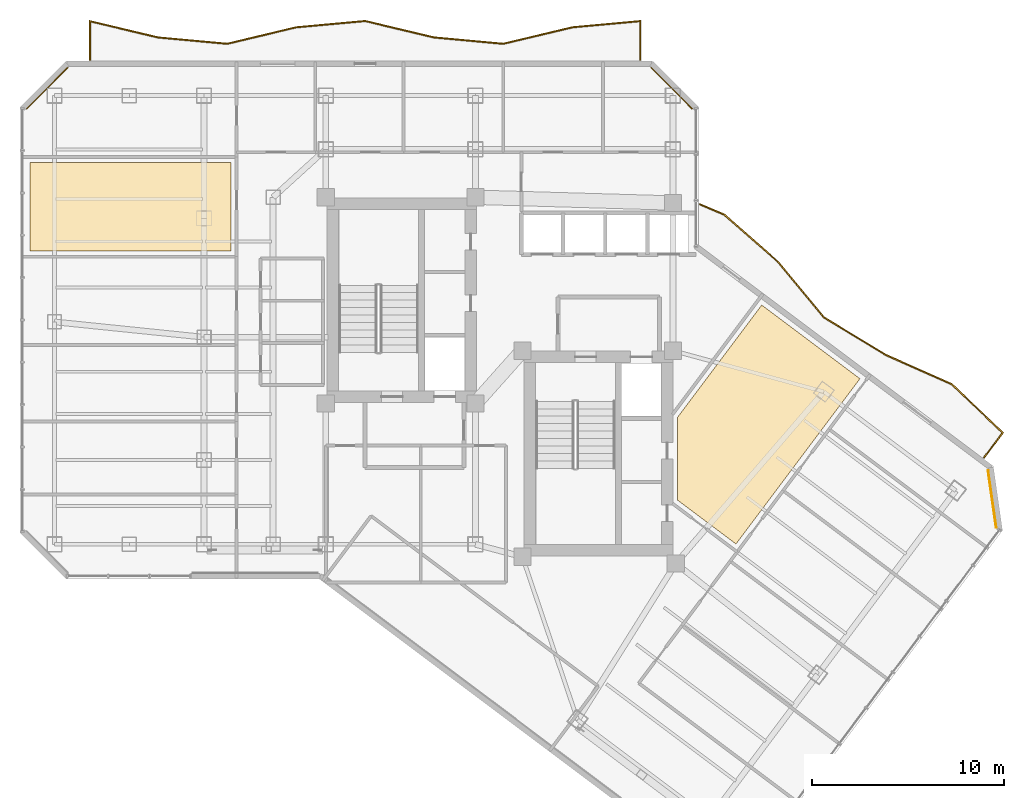
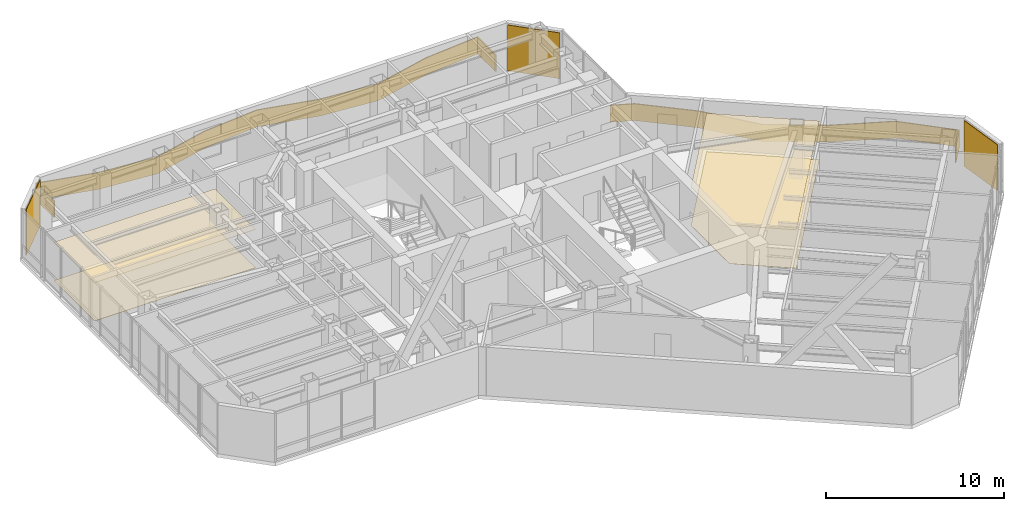
# One storey, part 27 of 27: 7 coverings, 2 railings.
"""IFC4 building model written with IfcOpenShell, lengths in metres."""

import ifcopenshell
import ifcopenshell.guid

model = None  # the IFC model being written
_history = None  # IfcOwnerHistory: only IFC2X3 demands one
_inside = {}  # id of a spatial element -> (the spatial element, [elements in it])
_under = {}  # id of a project, library or spatial element -> (it, [spatial elements below it])
_declared = {}  # id of a project -> (the project, [libraries it declares])
_typed = {}  # id of a type object -> (the type object, [elements of that type])
_made_of = {}  # id of a material, layer set ... -> (it, [elements and type objects made of it])


def new_model(schema):
    """Start an empty IFC model of exactly this schema.

    Asked for "IFC4X3", IfcOpenShell would pick the latest addendum, in which some entities
    have other attributes; the version numbers below select the first issue.
    IFC2X3 requires an IfcOwnerHistory on every rooted entity: one is made here for all.
    """
    global model, _history
    if schema == "IFC4X3":
        model = ifcopenshell.file(schema_version=(4, 3, 0, 0))
    else:
        model = ifcopenshell.file(schema=schema)
    _inside.clear()
    _under.clear()
    _declared.clear()
    _typed.clear()
    _made_of.clear()
    _history = None
    if model.schema == "IFC2X3":
        org = make("IfcOrganization", Name="unknown")
        user = make(
            "IfcPersonAndOrganization",
            ThePerson=make("IfcPerson", FamilyName="unknown"),
            TheOrganization=org,
        )
        app = make(
            "IfcApplication",
            ApplicationDeveloper=org,
            Version="unknown",
            ApplicationFullName="unknown",
            ApplicationIdentifier="unknown",
        )
        _history = make(
            "IfcOwnerHistory",
            OwningUser=user,
            OwningApplication=app,
            ChangeAction="ADDED",
            CreationDate=0,
        )
    return model


def make(cls, **values):
    """One entity of the class cls with the attributes given. An attribute that is None is left unset."""
    return model.create_entity(
        cls, **{name: value for name, value in values.items() if value is not None}
    )


def rooted(cls, **values):
    """An entity with a GlobalId (a new one), such as an element, a storey or a relation."""
    return make(cls, GlobalId=ifcopenshell.guid.new(), OwnerHistory=_history, **values)


def si_unit(unit_type, name, prefix=None):
    """IfcSIUnit, for example si_unit("LENGTHUNIT", "METRE", prefix="MILLI")."""
    return make("IfcSIUnit", UnitType=unit_type, Prefix=prefix, Name=name)


def assignment(units):
    """IfcUnitAssignment: the units of a project."""
    return None if units is None else make("IfcUnitAssignment", Units=units)


def point(xyz):
    """IfcCartesianPoint."""
    return None if xyz is None else make("IfcCartesianPoint", Coordinates=xyz)


def direction(xyz):
    """IfcDirection."""
    return None if xyz is None else make("IfcDirection", DirectionRatios=xyz)


def frame(location, z_axis=None, x_axis=None):
    """IfcAxis2Placement3D, a coordinate frame: its origin and axes. An axis left out is left unset."""
    return make(
        "IfcAxis2Placement3D",
        Location=point(location),
        Axis=direction(z_axis),
        RefDirection=direction(x_axis),
    )


def frame_2d(location, x_axis=None):
    """IfcAxis2Placement2D, a coordinate frame in the plane: its origin and x axis."""
    return make(
        "IfcAxis2Placement2D", Location=point(location), RefDirection=direction(x_axis)
    )


def origin():
    """The frame at (0, 0, 0) with its axes left unset."""
    return frame((0.0, 0.0, 0.0))


def origin_2d():
    """The frame at (0, 0) in the plane with its x axis left unset."""
    return frame_2d((0.0, 0.0))


def place(relative_to, where):
    """IfcLocalPlacement: puts the frame where relative to a parent placement (None: the world)."""
    return make(
        "IfcLocalPlacement", PlacementRelTo=relative_to, RelativePlacement=where
    )


def context(
    kind, dimensions, precision=None, world=None, true_north=None, identifier=None
):
    """IfcGeometricRepresentationContext, for example the 3D "Model" context."""
    return make(
        "IfcGeometricRepresentationContext",
        ContextIdentifier=identifier,
        ContextType=kind,
        CoordinateSpaceDimension=dimensions,
        Precision=precision,
        WorldCoordinateSystem=world,
        TrueNorth=true_north,
    )


def subcontext(parent, identifier, kind, view, scale=None):
    """IfcGeometricRepresentationSubContext, for example "Body" below "Model"."""
    return make(
        "IfcGeometricRepresentationSubContext",
        ContextIdentifier=identifier,
        ContextType=kind,
        ParentContext=parent,
        TargetScale=scale,
        TargetView=view,
    )


def project(units=None, contexts=None):
    """IfcProject with its units and contexts."""
    return rooted(
        "IfcProject",
        Name="project",
        RepresentationContexts=contexts,
        UnitsInContext=assignment(units),
    )


def spatial(cls, under=None, at=None, **own):
    """A site, building, storey or space (cls), placed at a placement, below another one or the project."""
    s = rooted(cls, ObjectPlacement=at, **own)
    if under is not None:
        _under.setdefault(under.id(), (under, []))[1].append(s)
    return s


def polyline(points):
    """IfcPolyline through the points."""
    return make("IfcPolyline", Points=[point(p) for p in points])


def profile(cls, at=None, kind="AREA", **sizes):
    """A parametric profile (cls). Its sizes go by their IFC names, for example OverallWidth=200.0."""
    return make(cls, ProfileType=kind, Position=at, **sizes)


def rectangle(**sizes):
    """IfcRectangleProfileDef."""
    return profile("IfcRectangleProfileDef", **sizes)


def outline(outer, holes=None, kind="AREA"):
    """IfcArbitraryClosedProfileDef: a profile drawn as a closed curve; with holes, ...WithVoids."""
    if holes is None:
        return make("IfcArbitraryClosedProfileDef", ProfileType=kind, OuterCurve=outer)
    return make(
        "IfcArbitraryProfileDefWithVoids",
        ProfileType=kind,
        OuterCurve=outer,
        InnerCurves=holes,
    )


def extrude(swept, where, along, depth):
    """IfcExtrudedAreaSolid: the profile swept, set in the frame where, extruded along a direction by depth."""
    return make(
        "IfcExtrudedAreaSolid",
        SweptArea=swept,
        Position=where,
        ExtrudedDirection=direction(along),
        Depth=depth,
    )


def shape(context_of_items, identifier, shape_type, items):
    """IfcShapeRepresentation: the items that make up one representation, for example the "Body"."""
    return make(
        "IfcShapeRepresentation",
        ContextOfItems=context_of_items,
        RepresentationIdentifier=identifier,
        RepresentationType=shape_type,
        Items=items,
    )


def material(Name=None, Category=None):
    """IfcMaterial."""
    return make("IfcMaterial", Name=Name, Category=Category)


def layer(
    of_material, thickness, ventilated=None, Name=None, Category=None, Priority=None
):
    """IfcMaterialLayer: one layer of a wall or slab, of a material (None: an air gap)."""
    return make(
        "IfcMaterialLayer",
        Material=of_material,
        LayerThickness=thickness,
        IsVentilated=ventilated,
        Name=Name,
        Category=Category,
        Priority=Priority,
    )


def layer_set(layers, Name=None):
    """IfcMaterialLayerSet."""
    return make("IfcMaterialLayerSet", MaterialLayers=layers, LayerSetName=Name)


def made_of(thing, what):
    """Note that an element or type object is made of a material, layer set ...; save() writes the relation."""
    if what is not None:
        _made_of.setdefault(what.id(), (what, []))[1].append(thing)
    return thing


def type_object(cls, material=None, **own):
    """A type object (cls), such as IfcWallType, which elements share."""
    return made_of(rooted(cls, **own), material)


def element(
    cls,
    number,
    at=None,
    inside=None,
    cuts=None,
    type_object=None,
    material=None,
    context=None,
    identifier="Body",
    shape_type=None,
    held_by="IfcProductDefinitionShape",
    body=None,
    shapes=None,
    **own,
):
    """One element of the class cls, such as IfcWall. Its Tag is "e" and its number.

    at: its placement. inside: the storey or other place that contains it. cuts: it is an
    opening in that element (IfcRelVoidsElement). A single representation is given by context,
    identifier, shape_type and body (its items); several are given by shapes. held_by: the class
    of the entity that holds the representations. save() writes the other relations.
    """
    e = rooted(cls, Tag="e%d" % number, ObjectPlacement=at, **own)
    if body is not None:
        shapes = [shape(context, identifier, shape_type, body)]
    if shapes is not None:
        e.Representation = make(held_by, Representations=shapes)
    if inside is not None:
        _inside.setdefault(inside.id(), (inside, []))[1].append(e)
    if cuts is not None:
        rooted(
            "IfcRelVoidsElement", RelatingBuildingElement=cuts, RelatedOpeningElement=e
        )
    if type_object is not None:
        _typed.setdefault(type_object.id(), (type_object, []))[1].append(e)
    return made_of(e, material)


def aggregate(whole, parts):
    """IfcRelAggregates: a whole, such as a stair, and the parts it consists of."""
    return rooted("IfcRelAggregates", RelatingObject=whole, RelatedObjects=parts)


def save(model, path):
    """Write the relations noted so far, then the file.

    IfcRelAggregates (storeys below a building ...), IfcRelContainedInSpatialStructure (elements
    in a storey), IfcRelDefinesByType, IfcRelAssociatesMaterial and IfcRelDeclares: one each for
    every whole, place, type object, material and project.
    """
    for whole, parts in _under.values():
        aggregate(whole, parts)
    for where, things in _inside.values():
        rooted(
            "IfcRelContainedInSpatialStructure",
            RelatedElements=things,
            RelatingStructure=where,
        )
    for kind, things in _typed.values():
        rooted("IfcRelDefinesByType", RelatedObjects=things, RelatingType=kind)
    for what, things in _made_of.values():
        rooted("IfcRelAssociatesMaterial", RelatedObjects=things, RelatingMaterial=what)
    for by, libraries in _declared.values():
        rooted("IfcRelDeclares", RelatingContext=by, RelatedDefinitions=libraries)
    model.write(path)


model = new_model("IFC4")

# Units and contexts
model_context = context("Model", 3, precision=1e-05, world=origin(), true_north=direction((0.0, 1.0)))
body_context = subcontext(model_context, "Body", "Model", "MODEL_VIEW")
ifc_project = project(units=[si_unit("LENGTHUNIT", "METRE"), si_unit("AREAUNIT", "SQUARE_METRE"), si_unit("VOLUMEUNIT", "CUBIC_METRE"), si_unit("PLANEANGLEUNIT", "RADIAN"), si_unit("MASSUNIT", "GRAM", prefix="KILO")], contexts=[model_context])

# Site, building, storey
site_placement = place(None, origin())
site = spatial("IfcSite", under=ifc_project, at=site_placement, CompositionType="ELEMENT")
building_placement = place(site_placement, origin())
building = spatial("IfcBuilding", under=site, at=building_placement, Name="Hatsunagi Terrace Concourse", CompositionType="ELEMENT")
storey_placement = place(building_placement, frame((0.0, 0.0, 167.25)))
storey = spatial("IfcBuildingStorey", under=building, at=storey_placement, Name="L44", CompositionType="ELEMENT", Elevation=167.25)

# Covering
ifc_material_1 = material(Name="Acoustic mineral board", Category="gypsum")
ifc_layer_1 = layer(ifc_material_1, 0.02001953125)
ifc_layer_set_1 = layer_set([ifc_layer_1], Name="AcousticMineralCeiling_20")
covering_type_1 = type_object("IfcCoveringType", Name="AcousticMineralCeiling_20", PredefinedType="CEILING", material=ifc_layer_set_1)
covering_1_placement = place(storey_placement, frame((0.0, 0.0, 2.6298828125)))
element("IfcCovering", 1, at=covering_1_placement, inside=storey, type_object=covering_type_1, Name="Suspended Ceiling L44-2", PredefinedType="CEILING", context=body_context, shape_type="SweptSolid", body=[
    extrude(outline(polyline([(10.1298828125, 40.5), (20.60009765625, 40.5), (20.60009765625, 45.10009765625), (10.1298828125, 45.10009765625), (10.1298828125, 40.5)])), origin(), (0.0, 0.0, 1.0), 0.02001953125),
])

# Railings
ifc_material_2 = material(Name="Laminated Glass and Stainless Steel Guard", Category="steel")
ifc_layer_2 = layer(ifc_material_2, 0.070068359375)
ifc_layer_set_2 = layer_set([ifc_layer_2], Name="BalconyGlassGuardRail_1150")
railing_type = type_object("IfcRailingType", Name="BalconyGlassGuardRail_1150", PredefinedType="BALUSTRADE", material=ifc_layer_set_2)
railing_1_placement = place(storey_placement, origin())
element("IfcRailing", 2, at=railing_1_placement, inside=storey, type_object=railing_type, Name="Engawa Balcony Guard GRD-01 L44-BN-1", PredefinedType="BALUSTRADE", context=body_context, shape_type="SweptSolid", body=[
    extrude(outline(polyline([(13.215087890625, 50.449951171875), (13.284912109375, 50.449951171875), (13.284912109375, 52.436767578125), (16.786376953125, 51.602294921875), (20.406494140625, 51.26953125), (24.013671875, 52.13037109375), (27.593505859375, 52.45751953125), (31.186279296875, 51.602294921875), (34.806396484375, 51.26953125), (38.413818359375, 52.13037109375), (41.9150390625, 52.45068359375), (41.9150390625, 50.449951171875), (41.985107421875, 50.449951171875), (41.985107421875, 52.52734375), (38.40234375, 52.19970703125), (34.801513671875, 51.34033203125), (31.19775390625, 51.671630859375), (27.598388671875, 52.5283203125), (24.002197265625, 52.19970703125), (20.401611328125, 51.34033203125), (16.797607421875, 51.671630859375), (13.215087890625, 52.525390625), (13.215087890625, 50.449951171875)])), origin(), (0.0, 0.0, 1.0), 1.14990234375),
])
railing_2_placement = place(storey_placement, origin())
element("IfcRailing", 3, at=railing_2_placement, inside=storey, type_object=railing_type, Name="Engawa Balcony Guard GRD-01 L44-BSE-1", PredefinedType="BALUSTRADE", context=body_context, shape_type="SweptSolid", body=[
    extrude(outline(polyline([(45.059814453125, 42.97216796875), (45.0322265625, 42.90771484375), (46.30712890625, 42.364013671875), (49.079833984375, 39.928466796875), (51.515869140625, 36.998046875), (54.710693359375, 35.058837890625), (58.172119140625, 33.521484375), (60.80322265625, 31.01318359375), (59.842041015625, 29.73095703125), (59.89794921875, 29.68896484375), (60.896728515625, 31.02099609375), (58.2119140625, 33.58056640625), (54.7431640625, 35.12109375), (51.562255859375, 37.052001953125), (49.130126953125, 39.9775390625), (46.344970703125, 42.424072265625), (45.059814453125, 42.97216796875)])), origin(), (0.0, 0.0, 1.0), 1.14990234375),
])

# Coverings
ifc_material_3 = material(Name="Hardwood timber", Category="wood")
ifc_layer_3 = layer(ifc_material_3, 0.014892578125)
ifc_layer_set_3 = layer_set([ifc_layer_3], Name="HardwoodTimberFlooring_15")
covering_type_2 = type_object("IfcCoveringType", Name="HardwoodTimberFlooring_15", PredefinedType="FLOORING", material=ifc_layer_set_3)
covering_2_placement = place(storey_placement, origin())
element("IfcCovering", 4, at=covering_2_placement, inside=storey, type_object=covering_type_2, Name="Finished Flooring L44-1", PredefinedType="FLOORING", context=body_context, shape_type="SweptSolid", body=[
    extrude(outline(polyline([(48.281982421875, 37.676025390625), (43.89990234375, 31.833984375), (43.89990234375, 27.5), (46.93994140625, 25.219970703125), (53.402099609375, 33.8359375), (48.281982421875, 37.676025390625)])), origin(), (0.0, 0.0, 1.0), 0.014892578125),
])
covering_3_placement = place(storey_placement, origin())
element("IfcCovering", 5, at=covering_3_placement, inside=storey, type_object=covering_type_2, Name="Finished Flooring L44-2", PredefinedType="FLOORING", context=body_context, shape_type="SweptSolid", body=[
    extrude(outline(polyline([(10.1298828125, 40.5), (20.60009765625, 40.5), (20.60009765625, 45.10009765625), (10.1298828125, 45.10009765625), (10.1298828125, 40.5)])), origin(), (0.0, 0.0, 1.0), 0.014892578125),
])
ifc_material_4 = material(Name="Unglazed Warm Terracotta Rainscreen Tile", Category="masonry")
ifc_layer_4 = layer(ifc_material_4, 0.044921875)
ifc_layer_set_4 = layer_set([ifc_layer_4], Name="TerracottaRainscreenCladding_45")
covering_type_3 = type_object("IfcCoveringType", Name="TerracottaRainscreenCladding_45", PredefinedType="CLADDING", material=ifc_layer_set_4)
for number, where, z_axis, x_axis, name in (
    (6, (60.301025390625, 27.55810546875, 0.10009765625), (0.0, 0.0, 1.0), (0.141250262458, -0.989973920543, 0.0), "Terracotta Rainscreen Cladding L44-02"),
    (7, (11.013916015625, 48.986083984375, 0.10009765625), (0.0, 0.0, 1.0), (0.707106781187, 0.707106781187, 0.0), "Terracotta Rainscreen Cladding L44-10"),
    (8, (43.5859375, 48.986083984375, 0.10009765625), (0.0, 0.0, 1.0), (0.707106781187, -0.707106781187, 0.0), "Terracotta Rainscreen Cladding L44-12"),
):
    element("IfcCovering", number, at=place(storey_placement, frame(where, z_axis=z_axis, x_axis=x_axis)), inside=storey, type_object=covering_type_3, Name=name, PredefinedType="CLADDING", context=body_context, shape_type="SweptSolid", body=[
        extrude(rectangle(XDim=3.0380859375, YDim=0.044921875, at=origin_2d()), origin(), (0.0, 0.0, 1.0), 3.14990234375),
    ])
ifc_material_5 = material(Name="Hardwood timber", Category="wood")
ifc_layer_5 = layer(ifc_material_5, 0.034912109375)
ifc_layer_set_5 = layer_set([ifc_layer_5], Name="TimberBaffleCeiling_35")
covering_type_4 = type_object("IfcCoveringType", Name="TimberBaffleCeiling_35", PredefinedType="CEILING", material=ifc_layer_set_5)
covering_4_placement = place(storey_placement, frame((0.0, 0.0, 2.6298828125)))
element("IfcCovering", 9, at=covering_4_placement, inside=storey, type_object=covering_type_4, Name="Suspended Ceiling L44-1", PredefinedType="CEILING", context=body_context, shape_type="SweptSolid", body=[
    extrude(outline(polyline([(48.281982421875, 37.676025390625), (43.89990234375, 31.833984375), (43.89990234375, 27.5), (46.93994140625, 25.219970703125), (53.402099609375, 33.8359375), (48.281982421875, 37.676025390625)])), origin(), (0.0, 0.0, 1.0), 0.03515625),
])

save(model, "model.ifc")
